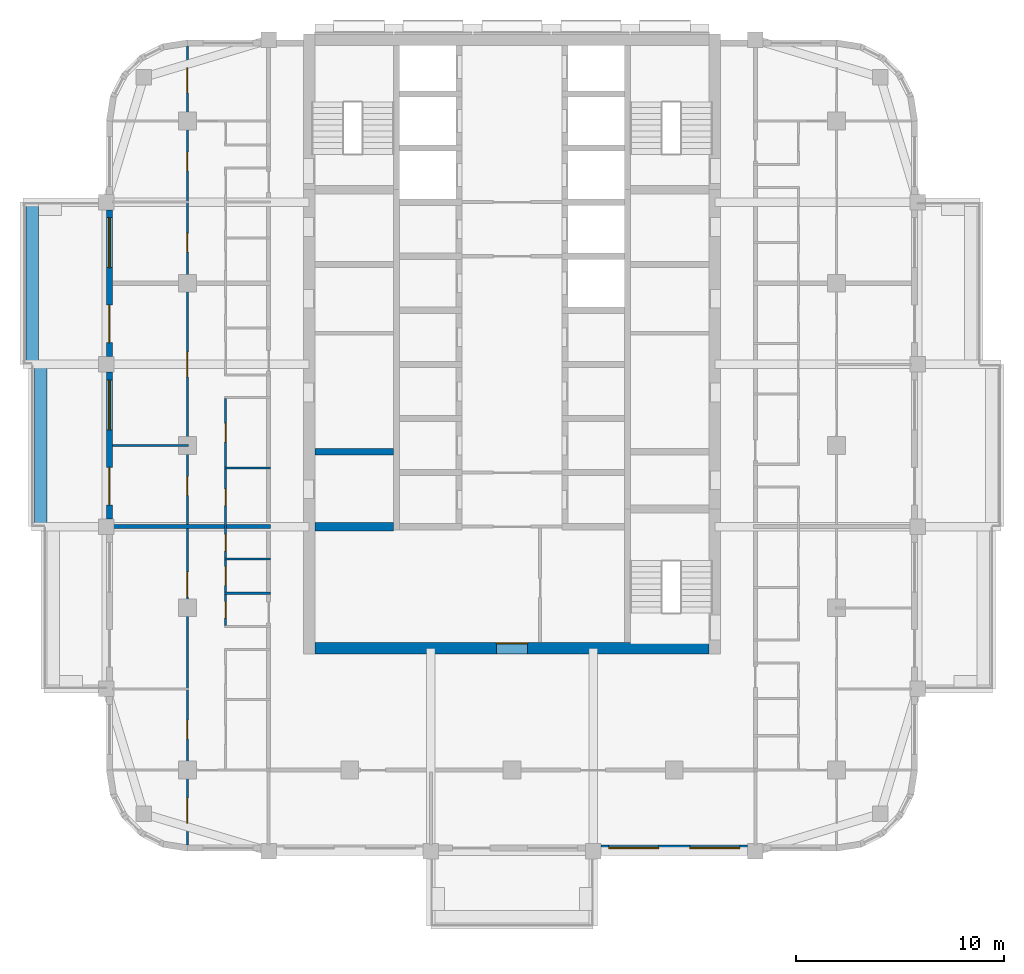
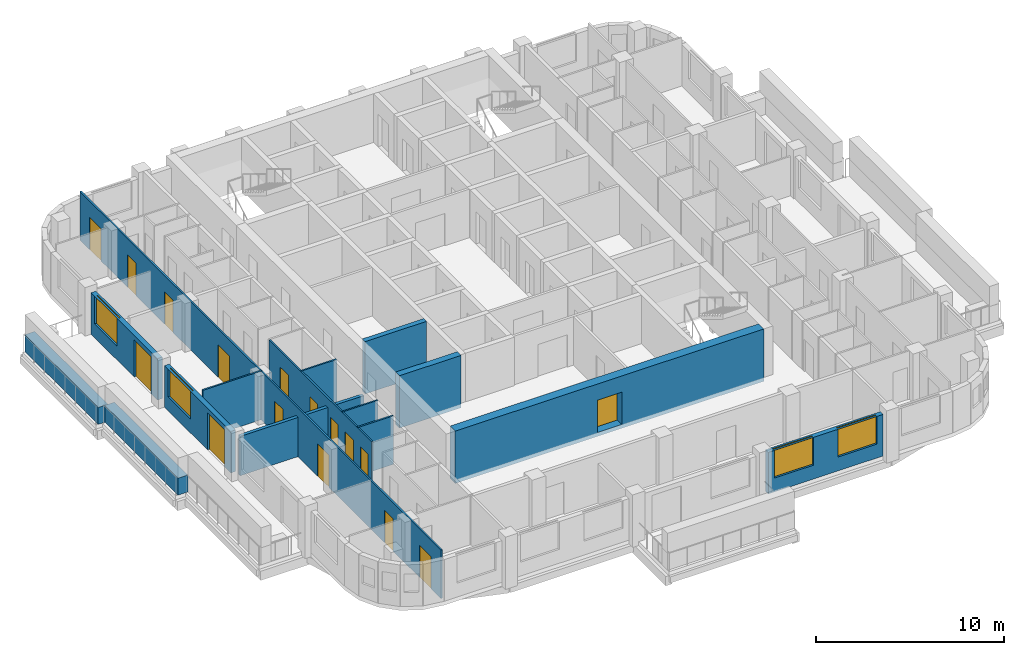
# One storey, part 3 of 13: 16 doors, 15 walls, 4 windows, 20 openings.
"""IFC4 building model written with IfcOpenShell, lengths in metres."""

from ifc_helpers import new_model, si_unit, direction, frame, frame_2d, origin, place, context, subcontext, project, spatial, rectangle, extrude, material, layer, layer_set, type_object, element, fill, save


model = new_model("IFC4")

# Units and contexts
model_context = context("Model", 3, precision=1e-05, world=origin(), true_north=direction((0.0, 1.0)))
body_context = subcontext(model_context, "Body", "Model", "MODEL_VIEW")
ifc_project = project(units=[si_unit("LENGTHUNIT", "METRE"), si_unit("AREAUNIT", "SQUARE_METRE"), si_unit("VOLUMEUNIT", "CUBIC_METRE"), si_unit("PLANEANGLEUNIT", "RADIAN"), si_unit("MASSUNIT", "GRAM", prefix="KILO")], contexts=[model_context])

# Site, building, storey
site_placement = place(None, origin())
site = spatial("IfcSite", under=ifc_project, at=site_placement, CompositionType="ELEMENT")
building_placement = place(site_placement, origin())
building = spatial("IfcBuilding", under=site, at=building_placement, Name="Ludao Terraces", CompositionType="ELEMENT")
storey_placement = place(building_placement, frame((0.0, 0.0, 165.60009765625)))
storey = spatial("IfcBuildingStorey", under=building, at=storey_placement, Name="L45", CompositionType="ELEMENT", Elevation=165.60009765625)

# Wall, opening, door
ifc_material_1 = material(Name="Concrete C60", Category="concrete")
ifc_layer_1 = layer(ifc_material_1, 0.550048828125)
ifc_layer_set_1 = layer_set([ifc_layer_1], Name="Core wall 550 C60")
wall_type_1 = type_object("IfcWallType", Name="Core wall 550 C60", PredefinedType="SOLIDWALL", material=ifc_layer_set_1)
wall_1_placement = place(storey_placement, frame((75.52490234375, 55.25, -0.25), z_axis=(0.0, 0.0, 1.0), x_axis=(1.0, 0.0, 0.0)))
wall_1 = element("IfcWall", 1, at=wall_1_placement, inside=storey, type_object=wall_type_1, Name="Core wall L45 outer-S", PredefinedType="SOLIDWALL", context=body_context, shape_type="SweptSolid", body=[
    extrude(rectangle(XDim=18.9501953125, YDim=0.550048828125, at=frame_2d((9.47509765625, 0.0))), origin(), (0.0, 0.0, 1.0), 3.39990234375),
])
opening_1_placement = place(wall_1_placement, frame((8.72509765625, 0.0, 0.25)))
opening_1 = element("IfcOpeningElement", 2, at=opening_1_placement, cuts=wall_1, Name="Opening R15-015", PredefinedType="OPENING", context=body_context, shape_type="SweptSolid", body=[
    extrude(rectangle(XDim=1.5, YDim=2.10009765625, at=frame_2d((0.75, 1.050048828125))), frame((0.0, 0.28515625, 0.0), z_axis=(0.0, -1.0, 0.0), x_axis=(1.0, 0.0, 0.0)), (0.0, 0.0, 1.0), 0.570068359375),
])
ifc_material_2 = material(Name="Steel Q235", Category="steel")
door_type_1 = type_object("IfcDoorType", Name="INT Lobby door 1500", OperationType="DOUBLE_DOOR_SINGLE_SWING", PredefinedType="DOOR", material=ifc_material_2)
door_1_placement = place(opening_1_placement, origin())
door_1 = element("IfcDoor", 3, at=door_1_placement, inside=storey, type_object=door_type_1, Name="DOOR 015", OperationType="DOUBLE_DOOR_SINGLE_SWING", OverallHeight=2.10009765625, OverallWidth=1.5, PredefinedType="DOOR", context=body_context, shape_type="SweptSolid", body=[
    extrude(rectangle(XDim=1.5, YDim=2.10009765625, at=frame_2d((0.75, 1.050048828125))), frame((0.0, 0.26025390625, 0.0), z_axis=(0.0, -1.0, 0.0), x_axis=(1.0, 0.0, 0.0)), (0.0, 0.0, 1.0), 0.050048828125),
])
fill(opening_1, door_1)

# Walls
ifc_material_3 = material(Name="Concrete C40", Category="concrete")
ifc_layer_2 = layer(ifc_material_3, 0.60009765625)
ifc_layer_set_2 = layer_set([ifc_layer_2], Name="ENV Planter trough 600")
wall_type_2 = type_object("IfcWallType", Name="ENV Planter trough 600", PredefinedType="USERDEFINED", material=ifc_layer_set_2)
wall_2_placement = place(storey_placement, frame((62.35009765625, 61.10009765625, 0.0), z_axis=(0.0, 0.0, 1.0), x_axis=(0.0, 1.0, 0.0)))
element("IfcWall", 4, at=wall_2_placement, inside=storey, type_object=wall_type_2, Name="PL-L45-W2", ObjectType="PLANTER", PredefinedType="USERDEFINED", context=body_context, shape_type="SweptSolid", body=[
    extrude(rectangle(XDim=7.7998046875, YDim=0.60009765625, at=frame_2d((3.89990234375, 0.0))), origin(), (0.0, 0.0, 1.0), 1.099853515625),
])
wall_3_placement = place(storey_placement, frame((61.949951171875, 68.89990234375, 0.0), z_axis=(0.0, 0.0, 1.0), x_axis=(0.0, 1.0, 0.0)))
element("IfcWall", 5, at=wall_3_placement, inside=storey, type_object=wall_type_2, Name="PL-L45-W3", ObjectType="PLANTER", PredefinedType="USERDEFINED", context=body_context, shape_type="SweptSolid", body=[
    extrude(rectangle(XDim=7.800048828125, YDim=0.60009765625, at=frame_2d((3.89990234375, 0.0))), origin(), (0.0, 0.0, 1.0), 1.099853515625),
])

# Wall, openings, windows
ifc_material_4 = material(Name="Granite cladding", Category="masonry")
ifc_layer_3 = layer(ifc_material_4, 0.0400390625, Category="stone")
ifc_material_5 = material(Name="Mineral wool")
ifc_layer_4 = layer(ifc_material_5, 0.06005859375)
ifc_layer_5 = layer(ifc_material_3, 0.199951171875, Category="concrete")
ifc_layer_set_3 = layer_set([ifc_layer_3, ifc_layer_4, ifc_layer_5], Name="ENV Stone-clad wall 300")
wall_type_3 = type_object("IfcWallType", Name="ENV Stone-clad wall 300", PredefinedType="SOLIDWALL", material=ifc_layer_set_3)
wall_4_placement = place(storey_placement, frame((89.27490234375, 45.64990234375, 0.0), z_axis=(0.0, 0.0, 1.0), x_axis=(1.0, 0.0, 0.0)))
wall_4 = element("IfcWall", 6, at=wall_4_placement, inside=storey, type_object=wall_type_3, Name="EW-L45-S4", PredefinedType="SOLIDWALL", context=body_context, shape_type="SweptSolid", body=[
    extrude(rectangle(XDim=7.050048828125, YDim=0.300048828125, at=frame_2d((3.52490234375, 0.0))), origin(), (0.0, 0.0, 1.0), 2.699951171875),
])
opening_2_placement = place(wall_4_placement, frame((0.375, 0.0, 0.89990234375)))
opening_2 = element("IfcOpeningElement", 7, at=opening_2_placement, cuts=wall_4, Name="Opening W1", PredefinedType="OPENING", context=body_context, shape_type="SweptSolid", body=[
    extrude(rectangle(XDim=2.39990234375, YDim=1.800048828125, at=frame_2d((1.199951171875, 0.89990234375))), frame((0.0, 0.16015625, 0.0), z_axis=(0.0, -1.0, 0.0), x_axis=(1.0, 0.0, 0.0)), (0.0, 0.0, 1.0), 0.320068359375),
])
opening_3_placement = place(wall_4_placement, frame((4.27490234375, 0.0, 0.89990234375)))
opening_3 = element("IfcOpeningElement", 8, at=opening_3_placement, cuts=wall_4, Name="Opening W1", PredefinedType="OPENING", context=body_context, shape_type="SweptSolid", body=[
    extrude(rectangle(XDim=2.39990234375, YDim=1.800048828125, at=frame_2d((1.199951171875, 0.89990234375))), frame((0.0, 0.16015625, 0.0), z_axis=(0.0, -1.0, 0.0), x_axis=(1.0, 0.0, 0.0)), (0.0, 0.0, 1.0), 0.320068359375),
])
ifc_material_6 = material(Name="Clear glass in aluminium frame", Category="aluminium")
ifc_layer_6 = layer(ifc_material_6, 0.06005859375)
ifc_layer_set_4 = layer_set([ifc_layer_6], Name="ENV Window W1 2400x1800")
window_type = type_object("IfcWindowType", Name="ENV Window W1 2400x1800", PartitioningType="DOUBLE_PANEL_VERTICAL", PredefinedType="WINDOW", material=ifc_layer_set_4)
window_1_placement = place(opening_2_placement, origin())
window_1 = element("IfcWindow", 9, at=window_1_placement, inside=storey, type_object=window_type, Name="W-L45-S4-1", OverallHeight=1.800048828125, OverallWidth=2.39990234375, PartitioningType="DOUBLE_PANEL_VERTICAL", PredefinedType="WINDOW", context=body_context, shape_type="SweptSolid", body=[
    extrude(rectangle(XDim=2.39990234375, YDim=1.800048828125, at=frame_2d((1.199951171875, 0.89990234375))), frame((0.0, 0.030029296875, 0.0), z_axis=(0.0, -1.0, 0.0), x_axis=(1.0, 0.0, 0.0)), (0.0, 0.0, 1.0), 0.06005859375),
])
fill(opening_2, window_1)
window_2_placement = place(opening_3_placement, origin())
window_2 = element("IfcWindow", 10, at=window_2_placement, inside=storey, type_object=window_type, Name="W-L45-S4-2", OverallHeight=1.800048828125, OverallWidth=2.39990234375, PartitioningType="DOUBLE_PANEL_VERTICAL", PredefinedType="WINDOW", context=body_context, shape_type="SweptSolid", body=[
    extrude(rectangle(XDim=2.39990234375, YDim=1.800048828125, at=frame_2d((1.199951171875, 0.89990234375))), frame((0.0, 0.030029296875, 0.0), z_axis=(0.0, -1.0, 0.0), x_axis=(1.0, 0.0, 0.0)), (0.0, 0.0, 1.0), 0.06005859375),
])
fill(opening_3, window_2)

# Wall, openings, door, window
wall_5_placement = place(storey_placement, frame((65.64990234375, 61.47509765625, 0.0), z_axis=(0.0, 0.0, 1.0), x_axis=(0.0, 1.0, 0.0)))
wall_5 = element("IfcWall", 11, at=wall_5_placement, inside=storey, type_object=wall_type_3, Name="EW-L45-W3", PredefinedType="SOLIDWALL", context=body_context, shape_type="SweptSolid", body=[
    extrude(rectangle(XDim=7.0498046875, YDim=0.300048828125, at=frame_2d((3.52490234375, 0.0))), origin(), (0.0, 0.0, 1.0), 2.699951171875),
])
opening_4_placement = place(wall_5_placement, frame((0.675048828125, 0.0, 0.0)))
opening_4 = element("IfcOpeningElement", 12, at=opening_4_placement, cuts=wall_5, Name="Opening BD", PredefinedType="OPENING", context=body_context, shape_type="SweptSolid", body=[
    extrude(rectangle(XDim=1.800048828125, YDim=2.39990234375, at=frame_2d((0.89990234375, 1.199951171875))), frame((0.0, 0.16015625, 0.0), z_axis=(0.0, -1.0, 0.0), x_axis=(1.0, 0.0, 0.0)), (0.0, 0.0, 1.0), 0.320068359375),
])
opening_5_placement = place(wall_5_placement, frame((4.27490234375, 0.0, 0.89990234375)))
opening_5 = element("IfcOpeningElement", 13, at=opening_5_placement, cuts=wall_5, Name="Opening W1", PredefinedType="OPENING", context=body_context, shape_type="SweptSolid", body=[
    extrude(rectangle(XDim=2.39990234375, YDim=1.800048828125, at=frame_2d((1.199951171875, 0.89990234375))), frame((0.0, 0.16015625, 0.0), z_axis=(0.0, -1.0, 0.0), x_axis=(1.0, 0.0, 0.0)), (0.0, 0.0, 1.0), 0.320068359375),
])
ifc_material_7 = material(Name="Aluminium glazed door", Category="aluminium")
ifc_layer_7 = layer(ifc_material_7, 0.06005859375)
ifc_layer_set_5 = layer_set([ifc_layer_7], Name="ENV Balcony door BD 1800x2400")
door_type_2 = type_object("IfcDoorType", Name="ENV Balcony door BD 1800x2400", OperationType="DOUBLE_DOOR_SINGLE_SWING", PredefinedType="DOOR", material=ifc_layer_set_5)
door_2_placement = place(opening_4_placement, origin())
door_2 = element("IfcDoor", 14, at=door_2_placement, inside=storey, type_object=door_type_2, Name="BD-L45-W3-1", OperationType="DOUBLE_DOOR_SINGLE_SWING", OverallHeight=2.39990234375, OverallWidth=1.800048828125, PredefinedType="DOOR", context=body_context, shape_type="SweptSolid", body=[
    extrude(rectangle(XDim=1.800048828125, YDim=2.39990234375, at=frame_2d((0.89990234375, 1.199951171875))), frame((0.0, 0.02490234375, 0.0), z_axis=(0.0, -1.0, 0.0), x_axis=(1.0, 0.0, 0.0)), (0.0, 0.0, 1.0), 0.050048828125),
])
fill(opening_4, door_2)
window_3_placement = place(opening_5_placement, origin())
window_3 = element("IfcWindow", 15, at=window_3_placement, inside=storey, type_object=window_type, Name="W-L45-W3-2", OverallHeight=1.800048828125, OverallWidth=2.39990234375, PartitioningType="DOUBLE_PANEL_VERTICAL", PredefinedType="WINDOW", context=body_context, shape_type="SweptSolid", body=[
    extrude(rectangle(XDim=2.39990234375, YDim=1.800048828125, at=frame_2d((1.199951171875, 0.89990234375))), frame((0.0, 0.030029296875, 0.0), z_axis=(0.0, -1.0, 0.0), x_axis=(1.0, 0.0, 0.0)), (0.0, 0.0, 1.0), 0.06005859375),
])
fill(opening_5, window_3)

wall_6_placement = place(storey_placement, frame((65.64990234375, 69.27490234375, 0.0), z_axis=(0.0, 0.0, 1.0), x_axis=(0.0, 1.0, 0.0)))
wall_6 = element("IfcWall", 16, at=wall_6_placement, inside=storey, type_object=wall_type_3, Name="EW-L45-W4", PredefinedType="SOLIDWALL", context=body_context, shape_type="SweptSolid", body=[
    extrude(rectangle(XDim=7.050048828125, YDim=0.300048828125, at=frame_2d((3.52490234375, 0.0))), origin(), (0.0, 0.0, 1.0), 2.699951171875),
])
opening_6_placement = place(wall_6_placement, frame((0.675048828125, 0.0, 0.0)))
opening_6 = element("IfcOpeningElement", 17, at=opening_6_placement, cuts=wall_6, Name="Opening BD", PredefinedType="OPENING", context=body_context, shape_type="SweptSolid", body=[
    extrude(rectangle(XDim=1.800048828125, YDim=2.39990234375, at=frame_2d((0.89990234375, 1.199951171875))), frame((0.0, 0.16015625, 0.0), z_axis=(0.0, -1.0, 0.0), x_axis=(1.0, 0.0, 0.0)), (0.0, 0.0, 1.0), 0.320068359375),
])
opening_7_placement = place(wall_6_placement, frame((4.27490234375, 0.0, 0.89990234375)))
opening_7 = element("IfcOpeningElement", 18, at=opening_7_placement, cuts=wall_6, Name="Opening W1", PredefinedType="OPENING", context=body_context, shape_type="SweptSolid", body=[
    extrude(rectangle(XDim=2.39990234375, YDim=1.800048828125, at=frame_2d((1.199951171875, 0.89990234375))), frame((0.0, 0.16015625, 0.0), z_axis=(0.0, -1.0, 0.0), x_axis=(1.0, 0.0, 0.0)), (0.0, 0.0, 1.0), 0.320068359375),
])
door_3_placement = place(opening_6_placement, origin())
door_3 = element("IfcDoor", 19, at=door_3_placement, inside=storey, type_object=door_type_2, Name="BD-L45-W4-1", OperationType="DOUBLE_DOOR_SINGLE_SWING", OverallHeight=2.39990234375, OverallWidth=1.800048828125, PredefinedType="DOOR", context=body_context, shape_type="SweptSolid", body=[
    extrude(rectangle(XDim=1.800048828125, YDim=2.39990234375, at=frame_2d((0.89990234375, 1.199951171875))), frame((0.0, 0.02490234375, 0.0), z_axis=(0.0, -1.0, 0.0), x_axis=(1.0, 0.0, 0.0)), (0.0, 0.0, 1.0), 0.050048828125),
])
fill(opening_6, door_3)
window_4_placement = place(opening_7_placement, origin())
window_4 = element("IfcWindow", 20, at=window_4_placement, inside=storey, type_object=window_type, Name="W-L45-W4-2", OverallHeight=1.800048828125, OverallWidth=2.39990234375, PartitioningType="DOUBLE_PANEL_VERTICAL", PredefinedType="WINDOW", context=body_context, shape_type="SweptSolid", body=[
    extrude(rectangle(XDim=2.39990234375, YDim=1.800048828125, at=frame_2d((1.199951171875, 0.89990234375))), frame((0.0, 0.030029296875, 0.0), z_axis=(0.0, -1.0, 0.0), x_axis=(1.0, 0.0, 0.0)), (0.0, 0.0, 1.0), 0.06005859375),
])
fill(opening_7, window_4)

# Walls
ifc_material_8 = material(Name="Gypsum plasterboard", Category="gypsum")
ifc_layer_8 = layer(ifc_material_8, 0.012451171875, Category="gypsum")
ifc_layer_9 = layer(ifc_material_5, 0.06005859375, Name="insulation")
ifc_layer_10 = layer(ifc_material_2, 0.014892578125, Name="stud")
ifc_layer_11 = layer(ifc_material_8, 0.012451171875, Category="gypsum")
ifc_layer_set_6 = layer_set([ifc_layer_8, ifc_layer_9, ifc_layer_10, ifc_layer_11], Name="INT Partition 100")
wall_type_4 = type_object("IfcWallType", Name="INT Partition 100", PredefinedType="PARTITIONING", material=ifc_layer_set_6)
for number, where, z_axis, x_axis, name in (
    (21, (71.18017578125, 57.89990234375, 0.0), (0.0, 0.0, 1.0), (1.0, 0.0, 0.0), "PW-L45-PW013"),
    (22, (71.18017578125, 59.550048828125, 0.0), (0.0, 0.0, 1.0), (1.0, 0.0, 0.0), "PW-L45-PW015"),
    (23, (71.18017578125, 63.929931640625, 0.0), (0.0, 0.0, 1.0), (1.0, 0.0, 0.0), "PW-L45-PW021"),
):
    element("IfcWall", number, at=place(storey_placement, frame(where, z_axis=z_axis, x_axis=x_axis)), inside=storey, type_object=wall_type_4, Name=name, PredefinedType="PARTITIONING", context=body_context, shape_type="SweptSolid", body=[
        extrude(rectangle(XDim=2.219970703125, YDim=0.10009765625, at=frame_2d((1.10986328125, 0.0))), origin(), (0.0, 0.0, 1.0), 3.14990234375),
    ])
wall_7_placement = place(storey_placement, frame((65.800048828125, 65.0, 0.0), z_axis=(0.0, 0.0, 1.0), x_axis=(1.0, 0.0, 0.0)))
element("IfcWall", 24, at=wall_7_placement, inside=storey, type_object=wall_type_4, Name="PW-L45-PW023", PredefinedType="PARTITIONING", context=body_context, shape_type="SweptSolid", body=[
    extrude(rectangle(XDim=3.650146484375, YDim=0.10009765625, at=frame_2d((1.8251953125, 0.0))), origin(), (0.0, 0.0, 1.0), 3.14990234375),
])

# Wall, openings, doors
wall_8_placement = place(storey_placement, frame((69.39990234375, 45.800048828125, 0.0), z_axis=(0.0, 0.0, 1.0), x_axis=(0.0, 1.0, 0.0)))
wall_8 = element("IfcWall", 25, at=wall_8_placement, inside=storey, type_object=wall_type_4, Name="PW-L45-PW046", PredefinedType="PARTITIONING", context=body_context, shape_type="SweptSolid", body=[
    extrude(rectangle(XDim=38.400146484375, YDim=0.10009765625, at=frame_2d((19.2001953125, 0.0))), origin(), (0.0, 0.0, 1.0), 3.14990234375),
])
opening_8_placement = place(wall_8_placement, frame((1.050048828125, 0.0, 0.0)))
opening_8 = element("IfcOpeningElement", 26, at=opening_8_placement, cuts=wall_8, Name="Opening R15-001", PredefinedType="OPENING", context=body_context, shape_type="SweptSolid", body=[
    extrude(rectangle(XDim=1.199951171875, YDim=2.10009765625, at=frame_2d((0.60009765625, 1.050048828125))), frame((0.0, 0.06005859375, 0.0), z_axis=(0.0, -1.0, 0.0), x_axis=(1.0, 0.0, 0.0)), (0.0, 0.0, 1.0), 0.1201171875),
])
opening_9_placement = place(wall_8_placement, frame((5.10009765625, 0.0, 0.0)))
opening_9 = element("IfcOpeningElement", 27, at=opening_9_placement, cuts=wall_8, Name="Opening R15-009", PredefinedType="OPENING", context=body_context, shape_type="SweptSolid", body=[
    extrude(rectangle(XDim=0.89990234375, YDim=2.10009765625, at=frame_2d((0.449951171875, 1.050048828125))), frame((0.0, 0.06005859375, 0.0), z_axis=(0.0, -1.0, 0.0), x_axis=(1.0, 0.0, 0.0)), (0.0, 0.0, 1.0), 0.1201171875),
])
opening_10_placement = place(wall_8_placement, frame((11.925048828125, 0.0, 0.0)))
opening_10 = element("IfcOpeningElement", 28, at=opening_10_placement, cuts=wall_8, Name="Opening R15-022", PredefinedType="OPENING", context=body_context, shape_type="SweptSolid", body=[
    extrude(rectangle(XDim=1.199951171875, YDim=2.10009765625, at=frame_2d((0.60009765625, 1.050048828125))), frame((0.0, 0.06005859375, 0.0), z_axis=(0.0, -1.0, 0.0), x_axis=(1.0, 0.0, 0.0)), (0.0, 0.0, 1.0), 0.1201171875),
])
opening_11_placement = place(wall_8_placement, frame((16.800048828125, 0.0, 0.0)))
opening_11 = element("IfcOpeningElement", 29, at=opening_11_placement, cuts=wall_8, Name="Opening R15-033", PredefinedType="OPENING", context=body_context, shape_type="SweptSolid", body=[
    extrude(rectangle(XDim=0.89990234375, YDim=2.10009765625, at=frame_2d((0.449951171875, 1.050048828125))), frame((0.0, 0.06005859375, 0.0), z_axis=(0.0, -1.0, 0.0), x_axis=(1.0, 0.0, 0.0)), (0.0, 0.0, 1.0), 0.1201171875),
])
opening_12_placement = place(wall_8_placement, frame((22.5, 0.0, 0.0)))
opening_12 = element("IfcOpeningElement", 30, at=opening_12_placement, cuts=wall_8, Name="Opening R15-047", PredefinedType="OPENING", context=body_context, shape_type="SweptSolid", body=[
    extrude(rectangle(XDim=1.199951171875, YDim=2.10009765625, at=frame_2d((0.60009765625, 1.050048828125))), frame((0.0, 0.06005859375, 0.0), z_axis=(0.0, -1.0, 0.0), x_axis=(1.0, 0.0, 0.0)), (0.0, 0.0, 1.0), 0.1201171875),
])
opening_13_placement = place(wall_8_placement, frame((28.5, 0.0, 0.0)))
opening_13 = element("IfcOpeningElement", 31, at=opening_13_placement, cuts=wall_8, Name="Opening R15-062", PredefinedType="OPENING", context=body_context, shape_type="SweptSolid", body=[
    extrude(rectangle(XDim=0.89990234375, YDim=2.10009765625, at=frame_2d((0.449951171875, 1.050048828125))), frame((0.0, 0.06005859375, 0.0), z_axis=(0.0, -1.0, 0.0), x_axis=(1.0, 0.0, 0.0)), (0.0, 0.0, 1.0), 0.1201171875),
])
opening_14_placement = place(wall_8_placement, frame((32.39990234375, 0.0, 0.0)))
opening_14 = element("IfcOpeningElement", 32, at=opening_14_placement, cuts=wall_8, Name="Opening R15-077", PredefinedType="OPENING", context=body_context, shape_type="SweptSolid", body=[
    extrude(rectangle(XDim=0.89990234375, YDim=2.10009765625, at=frame_2d((0.449951171875, 1.050048828125))), frame((0.0, 0.06005859375, 0.0), z_axis=(0.0, -1.0, 0.0), x_axis=(1.0, 0.0, 0.0)), (0.0, 0.0, 1.0), 0.1201171875),
])
opening_15_placement = place(wall_8_placement, frame((36.14990234375, 0.0, 0.0)))
opening_15 = element("IfcOpeningElement", 33, at=opening_15_placement, cuts=wall_8, Name="Opening R15-085", PredefinedType="OPENING", context=body_context, shape_type="SweptSolid", body=[
    extrude(rectangle(XDim=1.199951171875, YDim=2.10009765625, at=frame_2d((0.60009765625, 1.050048828125))), frame((0.0, 0.06005859375, 0.0), z_axis=(0.0, -1.0, 0.0), x_axis=(1.0, 0.0, 0.0)), (0.0, 0.0, 1.0), 0.1201171875),
])
ifc_material_9 = material(Name="Timber door leaf", Category="wood")
door_type_3 = type_object("IfcDoorType", Name="INT Double door 1200", OperationType="DOUBLE_DOOR_SINGLE_SWING", PredefinedType="DOOR", material=ifc_material_9)
door_4_placement = place(opening_8_placement, origin())
door_4 = element("IfcDoor", 34, at=door_4_placement, inside=storey, type_object=door_type_3, Name="DOOR 001", OperationType="DOUBLE_DOOR_SINGLE_SWING", OverallHeight=2.10009765625, OverallWidth=1.199951171875, PredefinedType="DOOR", context=body_context, shape_type="SweptSolid", body=[
    extrude(rectangle(XDim=1.199951171875, YDim=2.10009765625, at=frame_2d((0.60009765625, 1.050048828125))), frame((0.0, 0.02490234375, 0.0), z_axis=(0.0, -1.0, 0.0), x_axis=(1.0, 0.0, 0.0)), (0.0, 0.0, 1.0), 0.050048828125),
])
fill(opening_8, door_4)
door_5_placement = place(opening_10_placement, origin())
door_5 = element("IfcDoor", 35, at=door_5_placement, inside=storey, type_object=door_type_3, Name="DOOR 022", OperationType="DOUBLE_DOOR_SINGLE_SWING", OverallHeight=2.10009765625, OverallWidth=1.199951171875, PredefinedType="DOOR", context=body_context, shape_type="SweptSolid", body=[
    extrude(rectangle(XDim=1.199951171875, YDim=2.10009765625, at=frame_2d((0.60009765625, 1.050048828125))), frame((0.0, 0.02490234375, 0.0), z_axis=(0.0, -1.0, 0.0), x_axis=(1.0, 0.0, 0.0)), (0.0, 0.0, 1.0), 0.050048828125),
])
fill(opening_10, door_5)
door_6_placement = place(opening_12_placement, origin())
door_6 = element("IfcDoor", 36, at=door_6_placement, inside=storey, type_object=door_type_3, Name="DOOR 047", OperationType="DOUBLE_DOOR_SINGLE_SWING", OverallHeight=2.10009765625, OverallWidth=1.199951171875, PredefinedType="DOOR", context=body_context, shape_type="SweptSolid", body=[
    extrude(rectangle(XDim=1.199951171875, YDim=2.10009765625, at=frame_2d((0.60009765625, 1.050048828125))), frame((0.0, 0.02490234375, 0.0), z_axis=(0.0, -1.0, 0.0), x_axis=(1.0, 0.0, 0.0)), (0.0, 0.0, 1.0), 0.050048828125),
])
fill(opening_12, door_6)
door_7_placement = place(opening_15_placement, origin())
door_7 = element("IfcDoor", 37, at=door_7_placement, inside=storey, type_object=door_type_3, Name="DOOR 085", OperationType="DOUBLE_DOOR_SINGLE_SWING", OverallHeight=2.10009765625, OverallWidth=1.199951171875, PredefinedType="DOOR", context=body_context, shape_type="SweptSolid", body=[
    extrude(rectangle(XDim=1.199951171875, YDim=2.10009765625, at=frame_2d((0.60009765625, 1.050048828125))), frame((0.0, 0.02490234375, 0.0), z_axis=(0.0, -1.0, 0.0), x_axis=(1.0, 0.0, 0.0)), (0.0, 0.0, 1.0), 0.050048828125),
])
fill(opening_15, door_7)
door_type_4 = type_object("IfcDoorType", Name="INT Room door 900", OperationType="SINGLE_SWING_LEFT", PredefinedType="DOOR", material=ifc_material_9)
door_8_placement = place(opening_9_placement, origin())
door_8 = element("IfcDoor", 38, at=door_8_placement, inside=storey, type_object=door_type_4, Name="DOOR 009", OperationType="SINGLE_SWING_RIGHT", OverallHeight=2.10009765625, OverallWidth=0.89990234375, PredefinedType="DOOR", context=body_context, shape_type="SweptSolid", body=[
    extrude(rectangle(XDim=0.89990234375, YDim=2.10009765625, at=frame_2d((0.449951171875, 1.050048828125))), frame((0.0, 0.02490234375, 0.0), z_axis=(0.0, -1.0, 0.0), x_axis=(1.0, 0.0, 0.0)), (0.0, 0.0, 1.0), 0.050048828125),
])
fill(opening_9, door_8)
door_9_placement = place(opening_11_placement, origin())
door_9 = element("IfcDoor", 39, at=door_9_placement, inside=storey, type_object=door_type_4, Name="DOOR 033", OperationType="SINGLE_SWING_RIGHT", OverallHeight=2.10009765625, OverallWidth=0.89990234375, PredefinedType="DOOR", context=body_context, shape_type="SweptSolid", body=[
    extrude(rectangle(XDim=0.89990234375, YDim=2.10009765625, at=frame_2d((0.449951171875, 1.050048828125))), frame((0.0, 0.02490234375, 0.0), z_axis=(0.0, -1.0, 0.0), x_axis=(1.0, 0.0, 0.0)), (0.0, 0.0, 1.0), 0.050048828125),
])
fill(opening_11, door_9)
door_10_placement = place(opening_13_placement, origin())
door_10 = element("IfcDoor", 40, at=door_10_placement, inside=storey, type_object=door_type_4, Name="DOOR 062", OperationType="SINGLE_SWING_RIGHT", OverallHeight=2.10009765625, OverallWidth=0.89990234375, PredefinedType="DOOR", context=body_context, shape_type="SweptSolid", body=[
    extrude(rectangle(XDim=0.89990234375, YDim=2.10009765625, at=frame_2d((0.449951171875, 1.050048828125))), frame((0.0, 0.02490234375, 0.0), z_axis=(0.0, -1.0, 0.0), x_axis=(1.0, 0.0, 0.0)), (0.0, 0.0, 1.0), 0.050048828125),
])
fill(opening_13, door_10)
door_11_placement = place(opening_14_placement, origin())
door_11 = element("IfcDoor", 41, at=door_11_placement, inside=storey, type_object=door_type_4, Name="DOOR 077", OperationType="SINGLE_SWING_RIGHT", OverallHeight=2.10009765625, OverallWidth=0.89990234375, PredefinedType="DOOR", context=body_context, shape_type="SweptSolid", body=[
    extrude(rectangle(XDim=0.89990234375, YDim=2.10009765625, at=frame_2d((0.449951171875, 1.050048828125))), frame((0.0, 0.02490234375, 0.0), z_axis=(0.0, -1.0, 0.0), x_axis=(1.0, 0.0, 0.0)), (0.0, 0.0, 1.0), 0.050048828125),
])
fill(opening_14, door_11)

wall_9_placement = place(storey_placement, frame((71.22998046875, 56.35009765625, 0.0), z_axis=(0.0, 0.0, 1.0), x_axis=(0.0, 1.0, 0.0)))
wall_9 = element("IfcWall", 42, at=wall_9_placement, inside=storey, type_object=wall_type_4, Name="PW-L45-PW048", PredefinedType="PARTITIONING", context=body_context, shape_type="SweptSolid", body=[
    extrude(rectangle(XDim=10.89990234375, YDim=0.10009765625, at=frame_2d((5.449951171875, 0.0))), origin(), (0.0, 0.0, 1.0), 3.14990234375),
])
opening_16_placement = place(wall_9_placement, frame((0.35009765625, 0.0, 0.0)))
opening_16 = element("IfcOpeningElement", 43, at=opening_16_placement, cuts=wall_9, Name="Opening R15-020", PredefinedType="OPENING", context=body_context, shape_type="SweptSolid", body=[
    extrude(rectangle(XDim=0.800048828125, YDim=2.10009765625, at=frame_2d((0.39990234375, 1.050048828125))), frame((0.0, 0.06005859375, 0.0), z_axis=(0.0, -1.0, 0.0), x_axis=(1.0, 0.0, 0.0)), (0.0, 0.0, 1.0), 0.1201171875),
])
opening_17_placement = place(wall_9_placement, frame((1.925048828125, 0.0, 0.0)))
opening_17 = element("IfcOpeningElement", 44, at=opening_17_placement, cuts=wall_9, Name="Opening R15-023", PredefinedType="OPENING", context=body_context, shape_type="SweptSolid", body=[
    extrude(rectangle(XDim=0.89990234375, YDim=2.10009765625, at=frame_2d((0.449951171875, 1.050048828125))), frame((0.0, 0.06005859375, 0.0), z_axis=(0.0, -1.0, 0.0), x_axis=(1.0, 0.0, 0.0)), (0.0, 0.0, 1.0), 0.1201171875),
])
opening_18_placement = place(wall_9_placement, frame((3.574951171875, 0.0, 0.0)))
opening_18 = element("IfcOpeningElement", 45, at=opening_18_placement, cuts=wall_9, Name="Opening R15-026", PredefinedType="OPENING", context=body_context, shape_type="SweptSolid", body=[
    extrude(rectangle(XDim=0.800048828125, YDim=2.10009765625, at=frame_2d((0.39990234375, 1.050048828125))), frame((0.0, 0.06005859375, 0.0), z_axis=(0.0, -1.0, 0.0), x_axis=(1.0, 0.0, 0.0)), (0.0, 0.0, 1.0), 0.1201171875),
])
opening_19_placement = place(wall_9_placement, frame((5.764892578125, 0.0, 0.0)))
opening_19 = element("IfcOpeningElement", 46, at=opening_19_placement, cuts=wall_9, Name="Opening R15-031", PredefinedType="OPENING", context=body_context, shape_type="SweptSolid", body=[
    extrude(rectangle(XDim=0.800048828125, YDim=2.10009765625, at=frame_2d((0.39990234375, 1.050048828125))), frame((0.0, 0.06005859375, 0.0), z_axis=(0.0, -1.0, 0.0), x_axis=(1.0, 0.0, 0.0)), (0.0, 0.0, 1.0), 0.1201171875),
])
opening_20_placement = place(wall_9_placement, frame((8.81494140625, 0.0, 0.0)))
opening_20 = element("IfcOpeningElement", 47, at=opening_20_placement, cuts=wall_9, Name="Opening R15-039", PredefinedType="OPENING", context=body_context, shape_type="SweptSolid", body=[
    extrude(rectangle(XDim=0.89990234375, YDim=2.10009765625, at=frame_2d((0.449951171875, 1.050048828125))), frame((0.0, 0.06005859375, 0.0), z_axis=(0.0, -1.0, 0.0), x_axis=(1.0, 0.0, 0.0)), (0.0, 0.0, 1.0), 0.1201171875),
])
door_type_5 = type_object("IfcDoorType", Name="INT Bathroom door 900", OperationType="SINGLE_SWING_LEFT", PredefinedType="DOOR", material=ifc_material_9)
door_12_placement = place(opening_17_placement, origin())
door_12 = element("IfcDoor", 48, at=door_12_placement, inside=storey, type_object=door_type_5, Name="DOOR 023", OperationType="SINGLE_SWING_LEFT", OverallHeight=2.10009765625, OverallWidth=0.89990234375, PredefinedType="DOOR", context=body_context, shape_type="SweptSolid", body=[
    extrude(rectangle(XDim=0.89990234375, YDim=2.10009765625, at=frame_2d((0.449951171875, 1.050048828125))), frame((0.0, 0.02490234375, 0.0), z_axis=(0.0, -1.0, 0.0), x_axis=(1.0, 0.0, 0.0)), (0.0, 0.0, 1.0), 0.050048828125),
])
fill(opening_17, door_12)
door_13_placement = place(opening_20_placement, origin())
door_13 = element("IfcDoor", 49, at=door_13_placement, inside=storey, type_object=door_type_4, Name="DOOR 039", OperationType="SINGLE_SWING_RIGHT", OverallHeight=2.10009765625, OverallWidth=0.89990234375, PredefinedType="DOOR", context=body_context, shape_type="SweptSolid", body=[
    extrude(rectangle(XDim=0.89990234375, YDim=2.10009765625, at=frame_2d((0.449951171875, 1.050048828125))), frame((0.0, 0.02490234375, 0.0), z_axis=(0.0, -1.0, 0.0), x_axis=(1.0, 0.0, 0.0)), (0.0, 0.0, 1.0), 0.050048828125),
])
fill(opening_20, door_13)
door_type_6 = type_object("IfcDoorType", Name="INT Store door 800", OperationType="SINGLE_SWING_LEFT", PredefinedType="DOOR", material=ifc_material_9)
door_14_placement = place(opening_16_placement, origin())
door_14 = element("IfcDoor", 50, at=door_14_placement, inside=storey, type_object=door_type_6, Name="DOOR 020", OperationType="SINGLE_SWING_LEFT", OverallHeight=2.10009765625, OverallWidth=0.800048828125, PredefinedType="DOOR", context=body_context, shape_type="SweptSolid", body=[
    extrude(rectangle(XDim=0.800048828125, YDim=2.10009765625, at=frame_2d((0.39990234375, 1.050048828125))), frame((0.0, 0.02490234375, 0.0), z_axis=(0.0, -1.0, 0.0), x_axis=(1.0, 0.0, 0.0)), (0.0, 0.0, 1.0), 0.050048828125),
])
fill(opening_16, door_14)
door_15_placement = place(opening_18_placement, origin())
door_15 = element("IfcDoor", 51, at=door_15_placement, inside=storey, type_object=door_type_6, Name="DOOR 026", OperationType="SINGLE_SWING_LEFT", OverallHeight=2.10009765625, OverallWidth=0.800048828125, PredefinedType="DOOR", context=body_context, shape_type="SweptSolid", body=[
    extrude(rectangle(XDim=0.800048828125, YDim=2.10009765625, at=frame_2d((0.39990234375, 1.050048828125))), frame((0.0, 0.02490234375, 0.0), z_axis=(0.0, -1.0, 0.0), x_axis=(1.0, 0.0, 0.0)), (0.0, 0.0, 1.0), 0.050048828125),
])
fill(opening_18, door_15)
door_16_placement = place(opening_19_placement, origin())
door_16 = element("IfcDoor", 52, at=door_16_placement, inside=storey, type_object=door_type_6, Name="DOOR 031", OperationType="SINGLE_SWING_RIGHT", OverallHeight=2.10009765625, OverallWidth=0.800048828125, PredefinedType="DOOR", context=body_context, shape_type="SweptSolid", body=[
    extrude(rectangle(XDim=0.800048828125, YDim=2.10009765625, at=frame_2d((0.39990234375, 1.050048828125))), frame((0.0, 0.02490234375, 0.0), z_axis=(0.0, -1.0, 0.0), x_axis=(1.0, 0.0, 0.0)), (0.0, 0.0, 1.0), 0.050048828125),
])
fill(opening_19, door_16)

# Walls
ifc_material_10 = material(Name="Autoclaved aerated concrete block B06 A3.5", Category="concrete")
ifc_layer_12 = layer(ifc_material_10, 0.199951171875)
ifc_layer_set_7 = layer_set([ifc_layer_12], Name="INT Party wall 200")
wall_type_5 = type_object("IfcWallType", Name="INT Party wall 200", PredefinedType="PARTITIONING", material=ifc_layer_set_7)
wall_10_placement = place(storey_placement, frame((65.800048828125, 61.10009765625, 0.0), z_axis=(0.0, 0.0, 1.0), x_axis=(1.0, 0.0, 0.0)))
element("IfcWall", 53, at=wall_10_placement, inside=storey, type_object=wall_type_5, Name="PW-L45-PW016", PredefinedType="PARTITIONING", context=body_context, shape_type="SweptSolid", body=[
    extrude(rectangle(XDim=7.60009765625, YDim=0.199951171875, at=frame_2d((3.800048828125, 0.0))), origin(), (0.0, 0.0, 1.0), 2.5498046875),
])
ifc_material_11 = material(Name="Concrete C55", Category="concrete")
ifc_layer_13 = layer(ifc_material_11, 0.300048828125)
ifc_layer_set_8 = layer_set([ifc_layer_13], Name="Shaft wall 300 C55")
wall_type_6 = type_object("IfcWallType", Name="Shaft wall 300 C55", PredefinedType="SOLIDWALL", material=ifc_layer_set_8)
wall_11_placement = place(storey_placement, frame((75.52490234375, 64.699951171875, -0.25), z_axis=(0.0, 0.0, 1.0), x_axis=(1.0, 0.0, 0.0)))
element("IfcWall", 54, at=wall_11_placement, inside=storey, type_object=wall_type_6, Name="Core wall L45 riser-a-W", PredefinedType="SOLIDWALL", context=body_context, shape_type="SweptSolid", body=[
    extrude(rectangle(XDim=3.775146484375, YDim=0.300048828125, at=frame_2d((1.8876953125, 0.0))), origin(), (0.0, 0.0, 1.0), 3.39990234375),
])
ifc_layer_14 = layer(ifc_material_11, 0.39990234375)
ifc_layer_set_9 = layer_set([ifc_layer_14], Name="Shaft wall 400 C55")
wall_type_7 = type_object("IfcWallType", Name="Shaft wall 400 C55", PredefinedType="SOLIDWALL", material=ifc_layer_set_9)
wall_12_placement = place(storey_placement, frame((75.52490234375, 61.10009765625, -0.25), z_axis=(0.0, 0.0, 1.0), x_axis=(1.0, 0.0, 0.0)))
element("IfcWall", 55, at=wall_12_placement, inside=storey, type_object=wall_type_7, Name="Core wall L45 hall-W", PredefinedType="SOLIDWALL", context=body_context, shape_type="SweptSolid", body=[
    extrude(rectangle(XDim=3.775146484375, YDim=0.39990234375, at=frame_2d((1.8876953125, 0.0))), origin(), (0.0, 0.0, 1.0), 3.39990234375),
])

save(model, "model.ifc")
